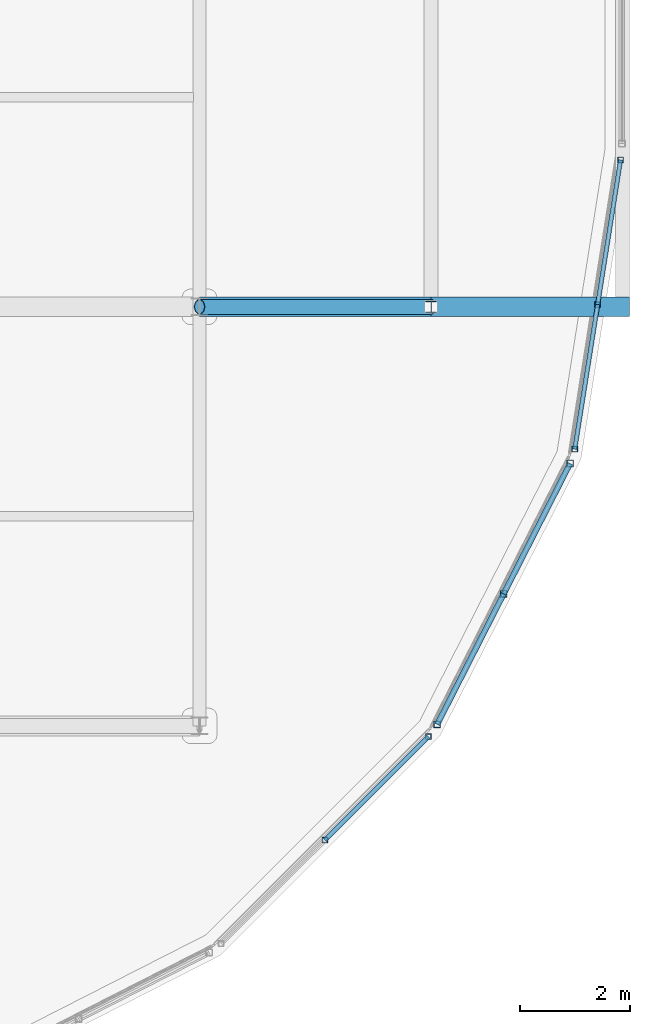
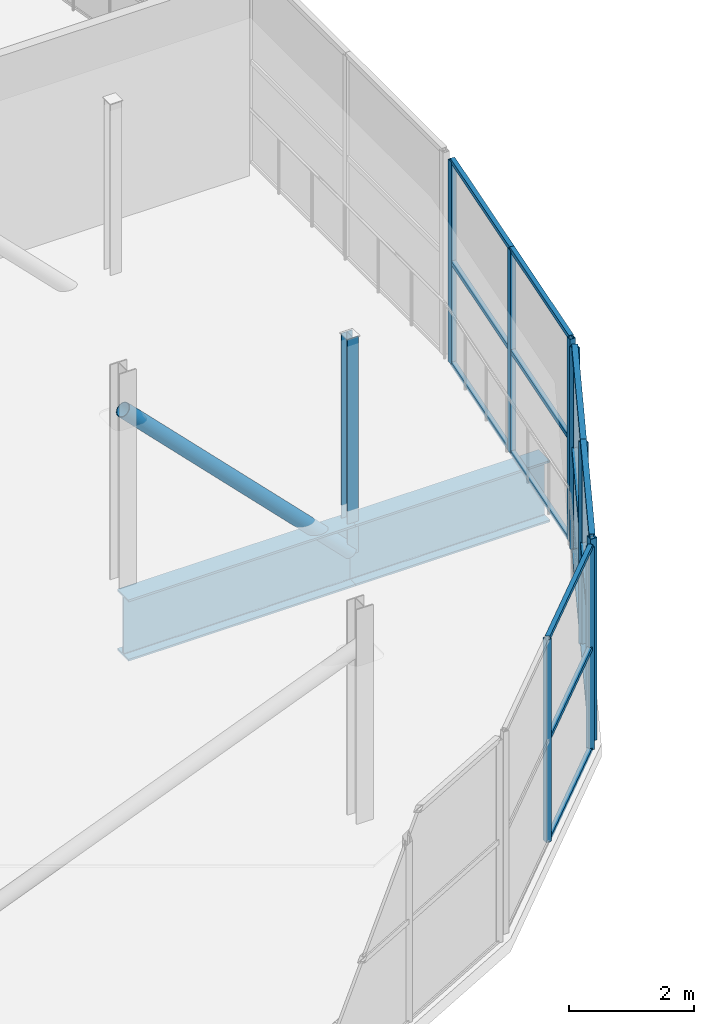
# One storey, part 97 of 151: 25 members, 2 beams, 3 elements without a shape of their own.
"""IFC4 building model written with IfcOpenShell, lengths in metres."""

from ifc_helpers import new_model, si_unit, direction, frame, origin, origin_2d, place, context, subcontext, project, spatial, hollow_rectangle, hollow_circle, i_section, extrude, material, material_profile, profile_set, type_object, element, aggregate, save


model = new_model("IFC4")

# Units and contexts
model_context = context("Model", 3, precision=1e-05, world=origin(), true_north=direction((0.0, 1.0)))
body_context = subcontext(model_context, "Body", "Model", "MODEL_VIEW")
ifc_project = project(units=[si_unit("LENGTHUNIT", "METRE"), si_unit("AREAUNIT", "SQUARE_METRE"), si_unit("VOLUMEUNIT", "CUBIC_METRE"), si_unit("PLANEANGLEUNIT", "RADIAN"), si_unit("MASSUNIT", "GRAM", prefix="KILO")], contexts=[model_context])

# Site, building, storey
site_placement = place(None, origin())
site = spatial("IfcSite", under=ifc_project, at=site_placement, CompositionType="ELEMENT")
building_placement = place(site_placement, origin())
building = spatial("IfcBuilding", under=site, at=building_placement, Name="Zuvorla Pavilion Media Centre", CompositionType="ELEMENT")
storey_placement = place(building_placement, frame((0.0, 0.0, 13.800048828125)))
storey = spatial("IfcBuildingStorey", under=building, at=storey_placement, Name="L03", CompositionType="ELEMENT", Elevation=13.800048828125)

# Beams
ifc_material_1 = material(Name="Steel S355", Category="steel")
ifc_material_profile_1 = material_profile(ifc_material_1, i_section(OverallWidth=0.360107421875, OverallDepth=1.199951171875, WebThickness=0.02001953125, FlangeThickness=0.0380859375, FilletRadius=0.02392578125, at=origin_2d()), Name="PG 1200x360x38")
ifc_profile_set_1 = profile_set([ifc_material_profile_1], Name="Steel S355")
beam_type = type_object("IfcBeamType", Name="BM-PG1200", PredefinedType="BEAM", material=ifc_profile_set_1)
beam_1_placement = place(storey_placement, frame((167.60009765625, 59.199951171875, -0.858154296875), z_axis=(1.0, 0.0, 0.0), x_axis=(0.0, 1.0, 0.0)))
element("IfcBeam", 1, at=beam_1_placement, inside=storey, type_object=beam_type, Name="L03 beam B01 1699", PredefinedType="BEAM", context=body_context, shape_type="SweptSolid", body=[
    extrude(i_section(OverallWidth=0.360107421875, OverallDepth=1.199951171875, WebThickness=0.02001953125, FlangeThickness=0.0380859375, FilletRadius=0.02392578125, at=origin_2d()), origin(), (0.0, 0.0, 1.0), 4.199951171875),
])
beam_2_placement = place(storey_placement, frame((171.800048828125, 59.199951171875, -0.858154296875), z_axis=(1.0, 0.0, 0.0), x_axis=(0.0, 1.0, 0.0)))
element("IfcBeam", 2, at=beam_2_placement, inside=storey, type_object=beam_type, Name="L03 beam B01 1700", PredefinedType="BEAM", context=body_context, shape_type="SweptSolid", body=[
    extrude(i_section(OverallWidth=0.360107421875, OverallDepth=1.199951171875, WebThickness=0.02001953125, FlangeThickness=0.0380859375, FilletRadius=0.02392578125, at=origin_2d()), origin(), (0.0, 0.0, 1.0), 3.599853515625),
])

# Curtain wall, members
ifc_material_2 = material(Name="Unitised anodised aluminium and solar glass curtain wall", Category="aluminium")
curtain_wall_type_1 = type_object("IfcCurtainWallType", Name="CW-SYS-04", PredefinedType="USERDEFINED", material=ifc_material_2)
curtain_wall_1_placement = place(storey_placement, origin())
curtain_wall_1 = element("IfcCurtainWall", 3, at=curtain_wall_1_placement, inside=storey, type_object=curtain_wall_type_1, Name="L03 curtain wall CW04 97", ObjectType="CURTAIN WALL", PredefinedType="USERDEFINED")
ifc_material_3 = material(Name="Anodised aluminium 6063-T6", Category="aluminium")
ifc_material_profile_2 = material_profile(ifc_material_3, hollow_rectangle(XDim=0.10009765625, YDim=0.10009765625, WallThickness=0.00439453125, at=origin_2d()), Name="ALU MULL 100x100")
ifc_profile_set_2 = profile_set([ifc_material_profile_2], Name="Anodised aluminium 6063-T6")
member_type_1 = type_object("IfcMemberType", Name="CW-MULL-100", PredefinedType="MULLION", material=ifc_profile_set_2)
member_1_placement = place(storey_placement, frame((169.872314453125, 49.52783203125, 0.0), z_axis=(0.0, 0.0, 1.0), x_axis=(1.0, 0.0, 0.0)))
member_1 = element("IfcMember", 4, at=member_1_placement, type_object=member_type_1, Name="CW04 mullion 2", PredefinedType="MULLION", context=body_context, shape_type="SweptSolid", body=[
    extrude(hollow_rectangle(XDim=0.10009765625, YDim=0.10009765625, WallThickness=0.00439453125, at=origin_2d()), origin(), (0.0, 0.0, 1.0), 3.9599609375),
])
member_2_placement = place(storey_placement, frame((171.750244140625, 51.40576171875, 0.0), z_axis=(0.0, 0.0, 1.0), x_axis=(1.0, 0.0, 0.0)))
member_2 = element("IfcMember", 5, at=member_2_placement, type_object=member_type_1, Name="CW04 mullion 3", PredefinedType="MULLION", context=body_context, shape_type="SweptSolid", body=[
    extrude(hollow_rectangle(XDim=0.10009765625, YDim=0.10009765625, WallThickness=0.00439453125, at=origin_2d()), origin(), (0.0, 0.0, 1.0), 3.9599609375),
])

curtain_wall_type_2 = type_object("IfcCurtainWallType", Name="CW-SYS-03", PredefinedType="USERDEFINED", material=ifc_material_2)
curtain_wall_2_placement = place(storey_placement, origin())
curtain_wall_2 = element("IfcCurtainWall", 6, at=curtain_wall_2_placement, inside=storey, type_object=curtain_wall_type_2, Name="L03 curtain wall CW03 99", ObjectType="CURTAIN WALL", PredefinedType="USERDEFINED")
member_3_placement = place(storey_placement, frame((174.40576171875, 56.61767578125, 0.0), z_axis=(0.0, 0.0, 1.0), x_axis=(1.0, 0.0, 0.0)))
member_3 = element("IfcMember", 7, at=member_3_placement, type_object=member_type_1, Name="CW03 mullion 1", PredefinedType="MULLION", context=body_context, shape_type="SweptSolid", body=[
    extrude(hollow_rectangle(XDim=0.10009765625, YDim=0.10009765625, WallThickness=0.00439453125, at=origin_2d()), origin(), (0.0, 0.0, 1.0), 3.9599609375),
])
member_4_placement = place(storey_placement, frame((174.8212890625, 59.24072265625, 0.0), z_axis=(0.0, 0.0, 1.0), x_axis=(1.0, 0.0, 0.0)))
member_4 = element("IfcMember", 8, at=member_4_placement, type_object=member_type_1, Name="CW03 mullion 2", PredefinedType="MULLION", context=body_context, shape_type="SweptSolid", body=[
    extrude(hollow_rectangle(XDim=0.10009765625, YDim=0.10009765625, WallThickness=0.00439453125, at=origin_2d()), origin(), (0.0, 0.0, 1.0), 3.9599609375),
])
member_5_placement = place(storey_placement, frame((175.23681640625, 61.864013671875, 0.0), z_axis=(0.0, 0.0, 1.0), x_axis=(1.0, 0.0, 0.0)))
member_5 = element("IfcMember", 9, at=member_5_placement, type_object=member_type_1, Name="CW03 mullion 3", PredefinedType="MULLION", context=body_context, shape_type="SweptSolid", body=[
    extrude(hollow_rectangle(XDim=0.10009765625, YDim=0.10009765625, WallThickness=0.00439453125, at=origin_2d()), origin(), (0.0, 0.0, 1.0), 3.9599609375),
])

curtain_wall_type_3 = type_object("IfcCurtainWallType", Name="CW-SYS-02", PredefinedType="USERDEFINED", material=ifc_material_2)
curtain_wall_3_placement = place(storey_placement, origin())
curtain_wall_3 = element("IfcCurtainWall", 10, at=curtain_wall_3_placement, inside=storey, type_object=curtain_wall_type_3, Name="L03 curtain wall CW02 98", ObjectType="CURTAIN WALL", PredefinedType="USERDEFINED")
ifc_material_profile_3 = material_profile(ifc_material_3, hollow_rectangle(XDim=0.1201171875, YDim=0.1201171875, WallThickness=0.0048828125, at=origin_2d()), Name="ALU MULL 120x120")
ifc_profile_set_3 = profile_set([ifc_material_profile_3], Name="Anodised aluminium 6063-T6")
member_type_2 = type_object("IfcMemberType", Name="CW-MULL-120", PredefinedType="MULLION", material=ifc_profile_set_3)
member_6_placement = place(storey_placement, frame((171.91015625, 51.6259765625, 0.0), z_axis=(0.0, 0.0, 1.0), x_axis=(1.0, 0.0, 0.0)))
member_6 = element("IfcMember", 11, at=member_6_placement, type_object=member_type_2, Name="CW02 mullion 1", PredefinedType="MULLION", context=body_context, shape_type="SweptSolid", body=[
    extrude(hollow_rectangle(XDim=0.1201171875, YDim=0.1201171875, WallThickness=0.0048828125, at=origin_2d()), origin(), (0.0, 0.0, 1.0), 3.9599609375),
])
member_7_placement = place(storey_placement, frame((173.115966796875, 53.992431640625, 0.0), z_axis=(0.0, 0.0, 1.0), x_axis=(1.0, 0.0, 0.0)))
member_7 = element("IfcMember", 12, at=member_7_placement, type_object=member_type_2, Name="CW02 mullion 2", PredefinedType="MULLION", context=body_context, shape_type="SweptSolid", body=[
    extrude(hollow_rectangle(XDim=0.1201171875, YDim=0.1201171875, WallThickness=0.0048828125, at=origin_2d()), origin(), (0.0, 0.0, 1.0), 3.9599609375),
])
member_8_placement = place(storey_placement, frame((174.321533203125, 56.358642578125, 0.0), z_axis=(0.0, 0.0, 1.0), x_axis=(1.0, 0.0, 0.0)))
member_8 = element("IfcMember", 13, at=member_8_placement, type_object=member_type_2, Name="CW02 mullion 3", PredefinedType="MULLION", context=body_context, shape_type="SweptSolid", body=[
    extrude(hollow_rectangle(XDim=0.1201171875, YDim=0.1201171875, WallThickness=0.0048828125, at=origin_2d()), origin(), (0.0, 0.0, 1.0), 3.9599609375),
])
ifc_material_profile_4 = material_profile(ifc_material_3, hollow_rectangle(XDim=0.10009765625, YDim=0.10009765625, WallThickness=0.00439453125, at=origin_2d()), Name="ALU TRAN 100x100")
ifc_profile_set_4 = profile_set([ifc_material_profile_4], Name="Anodised aluminium 6063-T6")
member_type_3 = type_object("IfcMemberType", Name="CW-TRAN-100", PredefinedType="USERDEFINED", material=ifc_profile_set_4)
member_9_placement = place(storey_placement, frame((171.91015625, 51.6259765625, 0.0), z_axis=(0.454002892375, 0.891000209717, 0.0), x_axis=(-0.891000209717, 0.454002892375, 0.0)))
member_9 = element("IfcMember", 14, at=member_9_placement, type_object=member_type_3, Name="CW02 transom 1.1", ObjectType="TRANSOM", PredefinedType="USERDEFINED", context=body_context, shape_type="SweptSolid", body=[
    extrude(hollow_rectangle(XDim=0.10009765625, YDim=0.10009765625, WallThickness=0.00439453125, at=origin_2d()), origin(), (0.0, 0.0, 1.0), 2.656005859375),
])
member_10_placement = place(storey_placement, frame((171.91015625, 51.6259765625, 1.97998046875), z_axis=(0.454002892375, 0.891000209717, 0.0), x_axis=(-0.891000209717, 0.454002892375, 0.0)))
member_10 = element("IfcMember", 15, at=member_10_placement, type_object=member_type_3, Name="CW02 transom 1.2", ObjectType="TRANSOM", PredefinedType="USERDEFINED", context=body_context, shape_type="SweptSolid", body=[
    extrude(hollow_rectangle(XDim=0.10009765625, YDim=0.10009765625, WallThickness=0.00439453125, at=origin_2d()), origin(), (0.0, 0.0, 1.0), 2.656005859375),
])
member_11_placement = place(storey_placement, frame((171.91015625, 51.6259765625, 3.9599609375), z_axis=(0.454002892375, 0.891000209717, 0.0), x_axis=(-0.891000209717, 0.454002892375, 0.0)))
member_11 = element("IfcMember", 16, at=member_11_placement, type_object=member_type_3, Name="CW02 transom 1.3", ObjectType="TRANSOM", PredefinedType="USERDEFINED", context=body_context, shape_type="SweptSolid", body=[
    extrude(hollow_rectangle(XDim=0.10009765625, YDim=0.10009765625, WallThickness=0.00439453125, at=origin_2d()), origin(), (0.0, 0.0, 1.0), 2.656005859375),
])
member_12_placement = place(storey_placement, frame((173.115966796875, 53.992431640625, 0.0), z_axis=(0.45396709639, 0.891018448403, 0.0), x_axis=(-0.891018448403, 0.45396709639, 0.0)))
member_12 = element("IfcMember", 17, at=member_12_placement, type_object=member_type_3, Name="CW02 transom 2.1", ObjectType="TRANSOM", PredefinedType="USERDEFINED", context=body_context, shape_type="SweptSolid", body=[
    extrude(hollow_rectangle(XDim=0.10009765625, YDim=0.10009765625, WallThickness=0.00439453125, at=origin_2d()), origin(), (0.0, 0.0, 1.0), 2.655517578125),
])
member_13_placement = place(storey_placement, frame((173.115966796875, 53.992431640625, 1.97998046875), z_axis=(0.45396709639, 0.891018448403, 0.0), x_axis=(-0.891018448403, 0.45396709639, 0.0)))
member_13 = element("IfcMember", 18, at=member_13_placement, type_object=member_type_3, Name="CW02 transom 2.2", ObjectType="TRANSOM", PredefinedType="USERDEFINED", context=body_context, shape_type="SweptSolid", body=[
    extrude(hollow_rectangle(XDim=0.10009765625, YDim=0.10009765625, WallThickness=0.00439453125, at=origin_2d()), origin(), (0.0, 0.0, 1.0), 2.655517578125),
])
member_14_placement = place(storey_placement, frame((173.115966796875, 53.992431640625, 3.9599609375), z_axis=(0.45396709639, 0.891018448403, 0.0), x_axis=(-0.891018448403, 0.45396709639, 0.0)))
member_14 = element("IfcMember", 19, at=member_14_placement, type_object=member_type_3, Name="CW02 transom 2.3", ObjectType="TRANSOM", PredefinedType="USERDEFINED", context=body_context, shape_type="SweptSolid", body=[
    extrude(hollow_rectangle(XDim=0.10009765625, YDim=0.10009765625, WallThickness=0.00439453125, at=origin_2d()), origin(), (0.0, 0.0, 1.0), 2.655517578125),
])
aggregate(curtain_wall_3, [member_6, member_7, member_8, member_9, member_10, member_11, member_12, member_13, member_14])

# Member
ifc_material_profile_5 = material_profile(ifc_material_3, hollow_rectangle(XDim=0.080078125, YDim=0.080078125, WallThickness=0.00390625, at=origin_2d()), Name="ALU TRAN 80x80")
ifc_profile_set_5 = profile_set([ifc_material_profile_5], Name="Anodised aluminium 6063-T6")
member_type_4 = type_object("IfcMemberType", Name="CW-TRAN-80", PredefinedType="USERDEFINED", material=ifc_profile_set_5)
member_15_placement = place(storey_placement, frame((169.872314453125, 49.52783203125, 0.0), z_axis=(0.707106781187, 0.707106781187, 0.0), x_axis=(-0.707106781187, 0.707106781187, 0.0)))
member_15 = element("IfcMember", 20, at=member_15_placement, type_object=member_type_4, Name="CW04 transom 2.1", ObjectType="TRANSOM", PredefinedType="USERDEFINED", context=body_context, shape_type="SweptSolid", body=[
    extrude(hollow_rectangle(XDim=0.080078125, YDim=0.080078125, WallThickness=0.00390625, at=origin_2d()), origin(), (0.0, 0.0, 1.0), 2.65576171875),
])

member_16_placement = place(storey_placement, frame((169.872314453125, 49.52783203125, 1.97998046875), z_axis=(0.707106781187, 0.707106781187, 0.0), x_axis=(-0.707106781187, 0.707106781187, 0.0)))
member_16 = element("IfcMember", 21, at=member_16_placement, type_object=member_type_4, Name="CW04 transom 2.2", ObjectType="TRANSOM", PredefinedType="USERDEFINED", context=body_context, shape_type="SweptSolid", body=[
    extrude(hollow_rectangle(XDim=0.080078125, YDim=0.080078125, WallThickness=0.00390625, at=origin_2d()), origin(), (0.0, 0.0, 1.0), 2.65576171875),
])

member_17_placement = place(storey_placement, frame((169.872314453125, 49.52783203125, 3.9599609375), z_axis=(0.707106781187, 0.707106781187, 0.0), x_axis=(-0.707106781187, 0.707106781187, 0.0)))
member_17 = element("IfcMember", 22, at=member_17_placement, type_object=member_type_4, Name="CW04 transom 2.3", ObjectType="TRANSOM", PredefinedType="USERDEFINED", context=body_context, shape_type="SweptSolid", body=[
    extrude(hollow_rectangle(XDim=0.080078125, YDim=0.080078125, WallThickness=0.00390625, at=origin_2d()), origin(), (0.0, 0.0, 1.0), 2.65576171875),
])

aggregate(curtain_wall_1, [member_1, member_2, member_15, member_16, member_17])

member_18_placement = place(storey_placement, frame((174.40576171875, 56.61767578125, 0.0), z_axis=(0.156462944686, 0.987683829441, 0.0), x_axis=(-0.987683829441, 0.156462944686, 0.0)))
member_18 = element("IfcMember", 23, at=member_18_placement, type_object=member_type_4, Name="CW03 transom 1.1", ObjectType="TRANSOM", PredefinedType="USERDEFINED", context=body_context, shape_type="SweptSolid", body=[
    extrude(hollow_rectangle(XDim=0.080078125, YDim=0.080078125, WallThickness=0.00390625, at=origin_2d()), origin(), (0.0, 0.0, 1.0), 2.65576171875),
])

member_19_placement = place(storey_placement, frame((174.40576171875, 56.61767578125, 1.97998046875), z_axis=(0.156462944686, 0.987683829441, 0.0), x_axis=(-0.987683829441, 0.156462944686, 0.0)))
member_19 = element("IfcMember", 24, at=member_19_placement, type_object=member_type_4, Name="CW03 transom 1.2", ObjectType="TRANSOM", PredefinedType="USERDEFINED", context=body_context, shape_type="SweptSolid", body=[
    extrude(hollow_rectangle(XDim=0.080078125, YDim=0.080078125, WallThickness=0.00390625, at=origin_2d()), origin(), (0.0, 0.0, 1.0), 2.65576171875),
])

member_20_placement = place(storey_placement, frame((174.40576171875, 56.61767578125, 3.9599609375), z_axis=(0.156462944686, 0.987683829441, 0.0), x_axis=(-0.987683829441, 0.156462944686, 0.0)))
member_20 = element("IfcMember", 25, at=member_20_placement, type_object=member_type_4, Name="CW03 transom 1.3", ObjectType="TRANSOM", PredefinedType="USERDEFINED", context=body_context, shape_type="SweptSolid", body=[
    extrude(hollow_rectangle(XDim=0.080078125, YDim=0.080078125, WallThickness=0.00390625, at=origin_2d()), origin(), (0.0, 0.0, 1.0), 2.65576171875),
])

member_21_placement = place(storey_placement, frame((174.8212890625, 59.24072265625, 0.0), z_axis=(0.156448739647, 0.987686079614, 0.0), x_axis=(-0.987686079614, 0.156448739647, 0.0)))
member_21 = element("IfcMember", 26, at=member_21_placement, type_object=member_type_4, Name="CW03 transom 2.1", ObjectType="TRANSOM", PredefinedType="USERDEFINED", context=body_context, shape_type="SweptSolid", body=[
    extrude(hollow_rectangle(XDim=0.080078125, YDim=0.080078125, WallThickness=0.00390625, at=origin_2d()), origin(), (0.0, 0.0, 1.0), 2.656005859375),
])

member_22_placement = place(storey_placement, frame((174.8212890625, 59.24072265625, 1.97998046875), z_axis=(0.156448739647, 0.987686079614, 0.0), x_axis=(-0.987686079614, 0.156448739647, 0.0)))
member_22 = element("IfcMember", 27, at=member_22_placement, type_object=member_type_4, Name="CW03 transom 2.2", ObjectType="TRANSOM", PredefinedType="USERDEFINED", context=body_context, shape_type="SweptSolid", body=[
    extrude(hollow_rectangle(XDim=0.080078125, YDim=0.080078125, WallThickness=0.00390625, at=origin_2d()), origin(), (0.0, 0.0, 1.0), 2.656005859375),
])

member_23_placement = place(storey_placement, frame((174.8212890625, 59.24072265625, 3.9599609375), z_axis=(0.156448739647, 0.987686079614, 0.0), x_axis=(-0.987686079614, 0.156448739647, 0.0)))
member_23 = element("IfcMember", 28, at=member_23_placement, type_object=member_type_4, Name="CW03 transom 2.3", ObjectType="TRANSOM", PredefinedType="USERDEFINED", context=body_context, shape_type="SweptSolid", body=[
    extrude(hollow_rectangle(XDim=0.080078125, YDim=0.080078125, WallThickness=0.00390625, at=origin_2d()), origin(), (0.0, 0.0, 1.0), 2.656005859375),
])

aggregate(curtain_wall_2, [member_3, member_4, member_5, member_18, member_19, member_20, member_21, member_22, member_23])

# Members
ifc_material_profile_6 = material_profile(ifc_material_1, hollow_circle(Radius=0.136474609375, WallThickness=0.012451171875, at=origin_2d()), Name="CHS 273x12.5")
ifc_profile_set_6 = profile_set([ifc_material_profile_6], Name="Steel S355")
member_type_5 = type_object("IfcMemberType", Name="MEM-BRC-CHS273", PredefinedType="BRACE", material=ifc_profile_set_6)
member_24_placement = place(storey_placement, frame((167.60009765625, 59.199951171875, 3.35986328125), z_axis=(0.704583438737, 0.0, -0.709621150937), x_axis=(0.0, 1.0, 0.0)))
element("IfcMember", 29, at=member_24_placement, inside=storey, type_object=member_type_5, Name="L03 diagonal brace TB01 15", PredefinedType="BRACE", context=body_context, shape_type="SweptSolid", body=[
    extrude(hollow_circle(Radius=0.136474609375, WallThickness=0.012451171875, at=origin_2d()), origin(), (0.0, 0.0, 1.0), 5.9609375),
])
ifc_material_profile_7 = material_profile(ifc_material_1, i_section(OverallWidth=0.205810546875, OverallDepth=0.209716796875, WebThickness=0.009521484375, FlangeThickness=0.01416015625, FilletRadius=0.01025390625, at=origin_2d()), Name="UC 203x203x60")
ifc_profile_set_7 = profile_set([ifc_material_profile_7], Name="Steel S355")
member_type_6 = type_object("IfcMemberType", Name="MEM-STR-UC203", PredefinedType="STRUT", material=ifc_profile_set_7)
member_25_placement = place(storey_placement, frame((171.800048828125, 59.199951171875, -0.8701171875), z_axis=(0.0, 0.0, 1.0), x_axis=(1.0, 0.0, 0.0)))
element("IfcMember", 30, at=member_25_placement, inside=storey, type_object=member_type_6, Name="L03 vertical strut TS02 16", PredefinedType="STRUT", context=body_context, shape_type="SweptSolid", body=[
    extrude(i_section(OverallWidth=0.205810546875, OverallDepth=0.209716796875, WebThickness=0.009521484375, FlangeThickness=0.01416015625, FilletRadius=0.01025390625, at=origin_2d()), origin(), (0.0, 0.0, 1.0), 4.22998046875),
])

save(model, "model.ifc")
